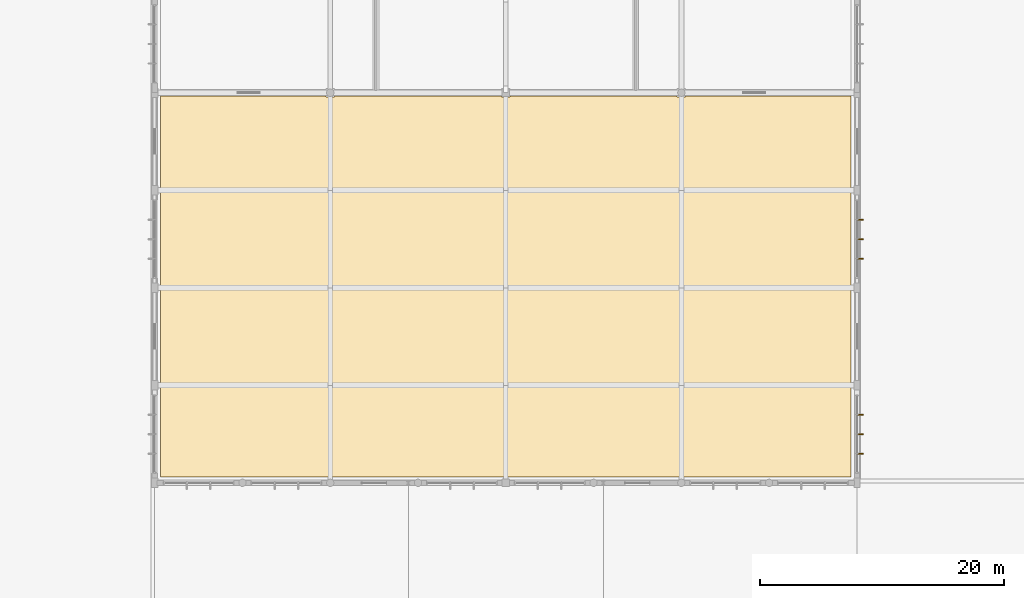
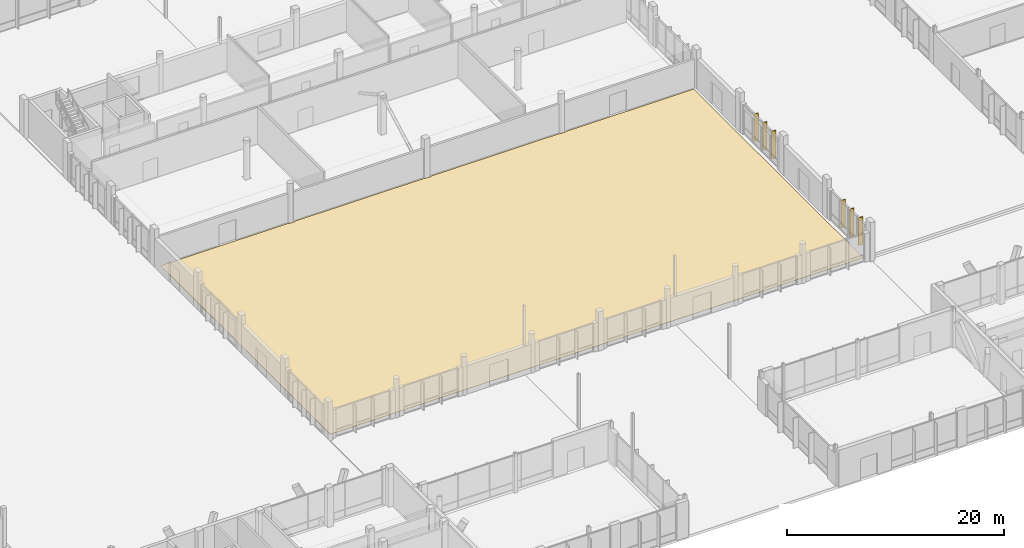
# One storey, part 217 of 233: 6 shading devices, 1 covering.
"""IFC4 building model written with IfcOpenShell, lengths in metres."""

from ifc_helpers import new_model, si_unit, direction, frame, origin, origin_2d, place, context, subcontext, project, spatial, polyline, rectangle, outline, extrude, material, layer, layer_set, type_object, element, save


model = new_model("IFC4")

# Units and contexts
model_context = context("Model", 3, precision=1e-05, world=origin(), true_north=direction((0.0, 1.0)))
body_context = subcontext(model_context, "Body", "Model", "MODEL_VIEW")
ifc_project = project(units=[si_unit("LENGTHUNIT", "METRE"), si_unit("AREAUNIT", "SQUARE_METRE"), si_unit("VOLUMEUNIT", "CUBIC_METRE"), si_unit("PLANEANGLEUNIT", "RADIAN"), si_unit("MASSUNIT", "GRAM", prefix="KILO")], contexts=[model_context])

# Site, building, storey
site_placement = place(None, origin())
site = spatial("IfcSite", under=ifc_project, at=site_placement, CompositionType="ELEMENT")
building_placement = place(site_placement, origin())
building = spatial("IfcBuilding", under=site, at=building_placement, Name="Zavelmont Quarter", CompositionType="ELEMENT")
storey_placement = place(building_placement, origin())
storey = spatial("IfcBuildingStorey", under=building, at=storey_placement, Name="L00", CompositionType="ELEMENT", Elevation=0.0)

# Covering
ifc_material_1 = material(Name="Honed Belgian bluestone tile", Category="masonry")
ifc_layer = layer(ifc_material_1, 0.030029296875)
ifc_layer_set = layer_set([ifc_layer], Name="Honed Belgian bluestone tile")
covering_type = type_object("IfcCoveringType", Name="CV-FL02", PredefinedType="FLOORING", material=ifc_layer_set)
covering_placement = place(storey_placement, origin())
element("IfcCovering", 1, at=covering_placement, inside=storey, type_object=covering_type, Name="L00 Community Assembly Hall floor finish", PredefinedType="FLOORING", context=body_context, shape_type="SweptSolid", body=[
    extrude(outline(polyline([(55.679931640625, 61.719970703125), (69.260009765625, 61.719970703125), (69.260009765625, 61.659912109375), (69.93994140625, 61.659912109375), (69.93994140625, 61.719970703125), (83.659912109375, 61.719970703125), (83.659912109375, 61.659912109375), (84.340087890625, 61.659912109375), (84.340087890625, 61.719970703125), (98.06005859375, 61.719970703125), (98.06005859375, 61.659912109375), (98.739990234375, 61.659912109375), (98.739990234375, 61.719970703125), (112.320068359375, 61.719970703125), (112.320068359375, 30.47998046875), (55.679931640625, 30.47998046875), (55.679931640625, 61.719970703125)])), origin(), (0.0, 0.0, 1.0), 0.030029296875),
])

# Shading devices
ifc_material_2 = material(Name="Anodised aluminium EN AW-6063-T6", Category="aluminium")
shading_device_type = type_object("IfcShadingDeviceType", Name="SD02", PredefinedType="JALOUSIE", material=ifc_material_2)
for number, where, z_axis, x_axis, name in (
    (2, (113.114990234375, 32.39990234375, 0.050048828125), (0.0, 0.0, 1.0), (0.0, 1.0, 0.0), "L00 solar brise-soleil fin SD02"),
    (3, (113.114990234375, 34.0, 0.050048828125), (0.0, 0.0, 1.0), (0.0, 1.0, 0.0), "L00 solar brise-soleil fin SD02"),
    (4, (113.114990234375, 35.60009765625, 0.050048828125), (0.0, 0.0, 1.0), (0.0, 1.0, 0.0), "L00 solar brise-soleil fin SD02"),
    (5, (113.114990234375, 48.39990234375, 0.050048828125), (0.0, 0.0, 1.0), (0.0, 1.0, 0.0), "L00 solar brise-soleil fin SD02"),
    (6, (113.114990234375, 50.0, 0.050048828125), (0.0, 0.0, 1.0), (0.0, 1.0, 0.0), "L00 solar brise-soleil fin SD02"),
    (7, (113.114990234375, 51.60009765625, 0.050048828125), (0.0, 0.0, 1.0), (0.0, 1.0, 0.0), "L00 solar brise-soleil fin SD02"),
):
    element("IfcShadingDevice", number, at=place(storey_placement, frame(where, z_axis=z_axis, x_axis=x_axis)), inside=storey, type_object=shading_device_type, Name=name, PredefinedType="JALOUSIE", context=body_context, shape_type="SweptSolid", body=[
        extrude(rectangle(XDim=0.080078125, YDim=0.449951171875, at=origin_2d()), origin(), (0.0, 0.0, 1.0), 3.10009765625),
    ])

save(model, "model.ifc")
